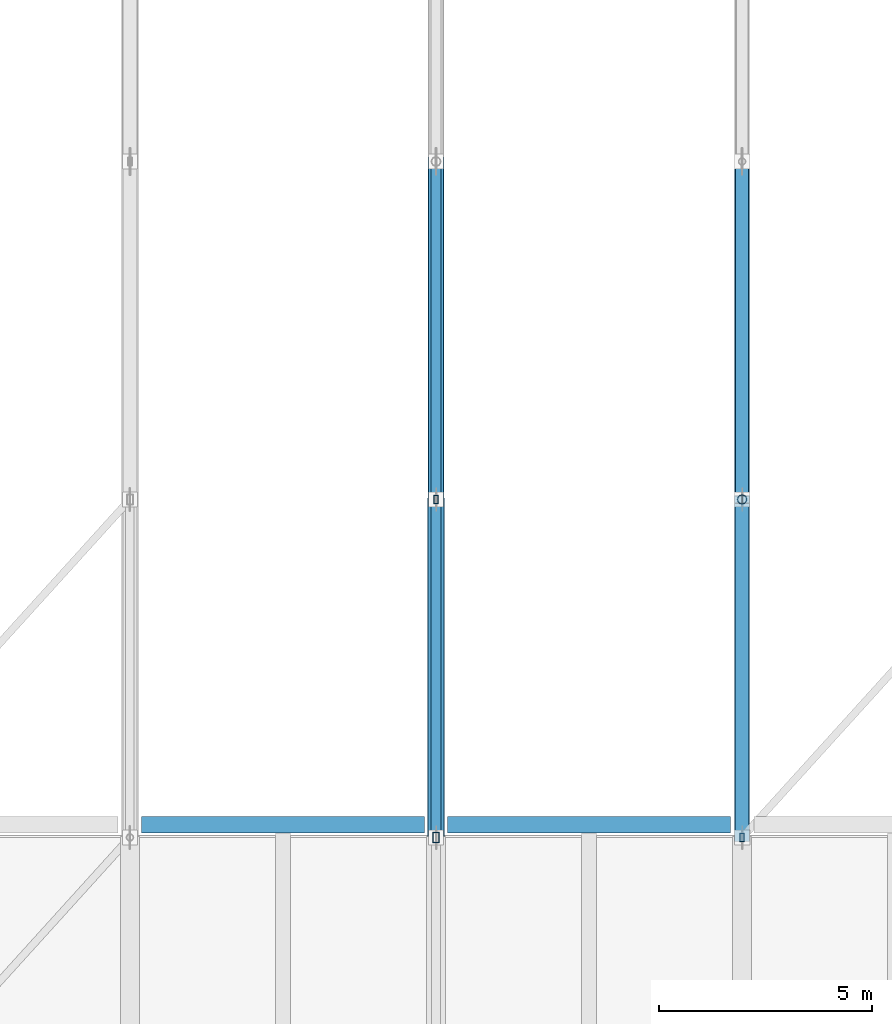
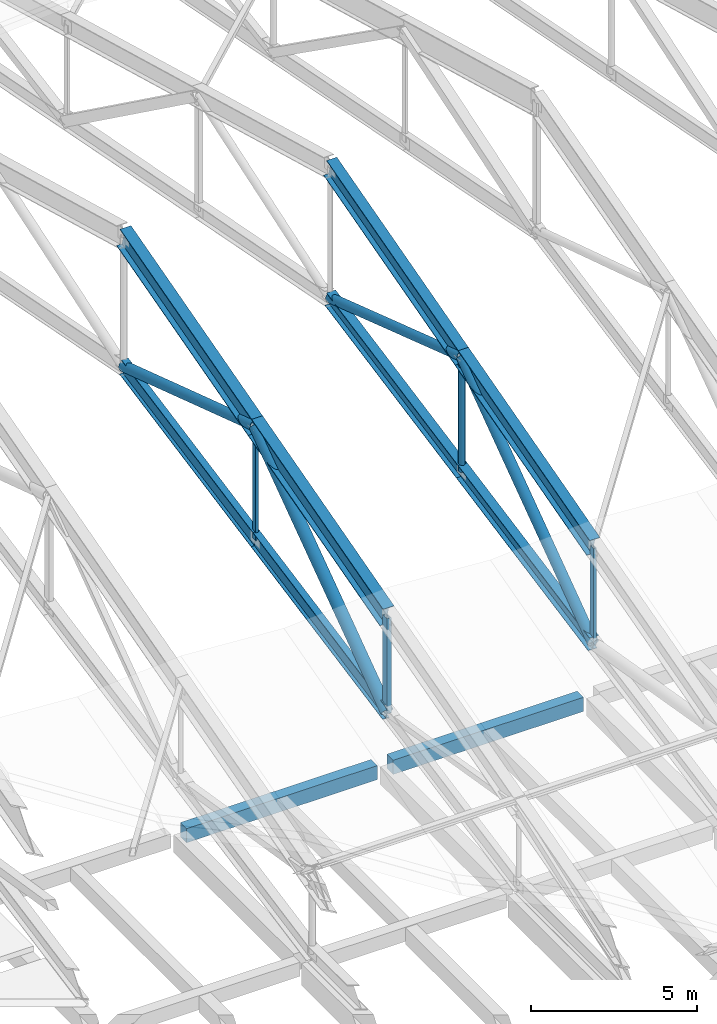
# One storey, part 6 of 53: 10 beams, 8 members.
"""IFC4 building model written with IfcOpenShell, lengths in metres."""

from ifc_helpers import new_model, si_unit, direction, frame, origin, origin_2d, place, context, subcontext, project, spatial, rectangle, hollow_rectangle, hollow_circle, i_section, extrude, material, material_profile, profile_set, type_object, element, save


model = new_model("IFC4")

# Units and contexts
model_context = context("Model", 3, precision=1e-05, world=origin(), true_north=direction((0.0, 1.0)))
body_context = subcontext(model_context, "Body", "Model", "MODEL_VIEW")
ifc_project = project(units=[si_unit("LENGTHUNIT", "METRE"), si_unit("AREAUNIT", "SQUARE_METRE"), si_unit("VOLUMEUNIT", "CUBIC_METRE"), si_unit("PLANEANGLEUNIT", "RADIAN"), si_unit("MASSUNIT", "GRAM", prefix="KILO")], contexts=[model_context])

# Site, building, storey
site_placement = place(None, origin())
site = spatial("IfcSite", under=ifc_project, at=site_placement, CompositionType="ELEMENT")
building_placement = place(site_placement, origin())
building = spatial("IfcBuilding", under=site, at=building_placement, Name="Pellamere Symphony Hall", CompositionType="ELEMENT")
storey_placement = place(building_placement, frame((0.0, 0.0, 24.0)))
storey = spatial("IfcBuildingStorey", under=building, at=storey_placement, Name="L05", CompositionType="ELEMENT", Elevation=24.0)

# Beams
ifc_material_1 = material(Name="Concrete 40 MPa", Category="concrete")
ifc_material_profile_1 = material_profile(ifc_material_1, rectangle(XDim=0.3798828125, YDim=0.52001953125, at=origin_2d()), Name="RC 380x520")
ifc_profile_set_1 = profile_set([ifc_material_profile_1], Name="Concrete 40 MPa")
beam_type_1 = type_object("IfcBeamType", Name="RC CB-21 380x520", PredefinedType="BEAM", material=ifc_profile_set_1)
beam_1_placement = place(storey_placement, frame((66.27490234375, 46.199951171875, -0.52001953125), z_axis=(1.0, 0.0, 0.0), x_axis=(0.0, 1.0, 0.0)))
element("IfcBeam", 1, at=beam_1_placement, inside=storey, type_object=beam_type_1, Name="Girder CB-21-X2025 (L05)", PredefinedType="BEAM", context=body_context, shape_type="SweptSolid", body=[
    extrude(rectangle(XDim=0.3798828125, YDim=0.52001953125, at=origin_2d()), origin(), (0.0, 0.0, 1.0), 6.650146484375),
])
beam_2_placement = place(storey_placement, frame((73.47509765625, 46.199951171875, -0.52001953125), z_axis=(1.0, 0.0, 0.0), x_axis=(0.0, 1.0, 0.0)))
element("IfcBeam", 2, at=beam_2_placement, inside=storey, type_object=beam_type_1, Name="Girder CB-21-X2026 (L05)", PredefinedType="BEAM", context=body_context, shape_type="SweptSolid", body=[
    extrude(rectangle(XDim=0.3798828125, YDim=0.52001953125, at=origin_2d()), origin(), (0.0, 0.0, 1.0), 6.64990234375),
])
ifc_material_2 = material(Name="Steel CSA G40.21 350W", Category="steel")
ifc_material_profile_2 = material_profile(ifc_material_2, i_section(OverallWidth=0.381103515625, OverallDepth=0.77294921875, WebThickness=0.0166015625, FlangeThickness=0.027587890625, at=origin_2d()), Name="W760X257")
ifc_profile_set_2 = profile_set([ifc_material_profile_2], Name="Steel CSA G40.21 350W")
beam_type_2 = type_object("IfcBeamType", Name="Steel Beam SB-05 W760X257", PredefinedType="BEAM", material=ifc_profile_set_2)
beam_3_placement = place(storey_placement, frame((73.199951171875, 45.89990234375, 5.228515625), z_axis=(0.0, 0.964092523779, 0.265566574693), x_axis=(-1.0, 0.0, 0.0)))
element("IfcBeam", 3, at=beam_3_placement, inside=storey, type_object=beam_type_2, Name="Roof Truss TR-03 Top Chord 3", PredefinedType="BEAM", context=body_context, shape_type="SweptSolid", body=[
    extrude(i_section(OverallWidth=0.381103515625, OverallDepth=0.77294921875, WebThickness=0.0166015625, FlangeThickness=0.027587890625, at=origin_2d()), origin(), (0.0, 0.0, 1.0), 8.246337890625),
])
beam_4_placement = place(storey_placement, frame((73.199951171875, 53.85009765625, 7.41845703125), z_axis=(0.0, 0.964090435702, 0.265574154969), x_axis=(-1.0, 0.0, 0.0)))
element("IfcBeam", 4, at=beam_4_placement, inside=storey, type_object=beam_type_2, Name="Roof Truss TR-03 Top Chord 4", PredefinedType="BEAM", context=body_context, shape_type="SweptSolid", body=[
    extrude(i_section(OverallWidth=0.381103515625, OverallDepth=0.77294921875, WebThickness=0.0166015625, FlangeThickness=0.027587890625, at=origin_2d()), origin(), (0.0, 0.0, 1.0), 8.24609375),
])
ifc_material_profile_3 = material_profile(ifc_material_2, i_section(OverallWidth=0.35498046875, OverallDepth=0.695068359375, WebThickness=0.015380859375, FlangeThickness=0.02490234375, at=origin_2d()), Name="W690X217")
ifc_profile_set_3 = profile_set([ifc_material_profile_3], Name="Steel CSA G40.21 350W")
beam_type_3 = type_object("IfcBeamType", Name="Steel Beam SB-07 W690X217", PredefinedType="BEAM", material=ifc_profile_set_3)
beam_5_placement = place(storey_placement, frame((80.39990234375, 45.89990234375, 5.267578125), z_axis=(0.0, 0.964092523779, 0.265566574693), x_axis=(-1.0, 0.0, 0.0)))
element("IfcBeam", 5, at=beam_5_placement, inside=storey, type_object=beam_type_3, Name="Roof Truss TR-04 Top Chord 3", PredefinedType="BEAM", context=body_context, shape_type="SweptSolid", body=[
    extrude(i_section(OverallWidth=0.35498046875, OverallDepth=0.695068359375, WebThickness=0.015380859375, FlangeThickness=0.02490234375, at=origin_2d()), origin(), (0.0, 0.0, 1.0), 8.246337890625),
])
beam_6_placement = place(storey_placement, frame((80.39990234375, 53.85009765625, 7.45751953125), z_axis=(0.0, 0.964090435702, 0.265574154969), x_axis=(-1.0, 0.0, 0.0)))
element("IfcBeam", 6, at=beam_6_placement, inside=storey, type_object=beam_type_3, Name="Roof Truss TR-04 Top Chord 4", PredefinedType="BEAM", context=body_context, shape_type="SweptSolid", body=[
    extrude(i_section(OverallWidth=0.35498046875, OverallDepth=0.695068359375, WebThickness=0.015380859375, FlangeThickness=0.02490234375, at=origin_2d()), origin(), (0.0, 0.0, 1.0), 8.24609375),
])
ifc_material_profile_4 = material_profile(ifc_material_2, i_section(OverallWidth=0.22998046875, OverallDepth=0.616943359375, WebThickness=0.01318359375, FlangeThickness=0.022216796875, at=origin_2d()), Name="W610X140")
ifc_profile_set_4 = profile_set([ifc_material_profile_4], Name="Steel CSA G40.21 350W")
beam_type_4 = type_object("IfcBeamType", Name="Steel Beam SB-11 W610X140", PredefinedType="BEAM", material=ifc_profile_set_4)
for number, where, z_axis, x_axis, name in (
    (7, (73.199951171875, 45.89990234375, 1.706787109375), (0.0, 0.981597814787, 0.190960022008), (-1.0, 0.0, 0.0), "Roof Truss TR-03 Bottom Chord 3"),
    (8, (73.199951171875, 53.85009765625, 3.25341796875), (0.0, 0.981596715528, 0.190965672477), (-1.0, 0.0, 0.0), "Roof Truss TR-03 Bottom Chord 4"),
):
    element("IfcBeam", number, at=place(storey_placement, frame(where, z_axis=z_axis, x_axis=x_axis)), inside=storey, type_object=beam_type_4, Name=name, PredefinedType="BEAM", context=body_context, shape_type="SweptSolid", body=[
        extrude(i_section(OverallWidth=0.22998046875, OverallDepth=0.616943359375, WebThickness=0.01318359375, FlangeThickness=0.022216796875, at=origin_2d()), origin(), (0.0, 0.0, 1.0), 8.09912109375),
    ])
ifc_material_profile_5 = material_profile(ifc_material_2, i_section(OverallWidth=0.31201171875, OverallDepth=0.54296875, WebThickness=0.0126953125, FlangeThickness=0.020263671875, at=origin_2d()), Name="W530X150")
ifc_profile_set_5 = profile_set([ifc_material_profile_5], Name="Steel CSA G40.21 350W")
beam_type_5 = type_object("IfcBeamType", Name="Steel Beam SB-13 W530X150", PredefinedType="BEAM", material=ifc_profile_set_5)
for number, where, z_axis, x_axis, name in (
    (9, (80.39990234375, 45.89990234375, 1.706787109375), (0.0, 0.981597814787, 0.190960022008), (-1.0, 0.0, 0.0), "Roof Truss TR-04 Bottom Chord 3"),
    (10, (80.39990234375, 53.85009765625, 3.25341796875), (0.0, 0.981596715528, 0.190965672477), (-1.0, 0.0, 0.0), "Roof Truss TR-04 Bottom Chord 4"),
):
    element("IfcBeam", number, at=place(storey_placement, frame(where, z_axis=z_axis, x_axis=x_axis)), inside=storey, type_object=beam_type_5, Name=name, PredefinedType="BEAM", context=body_context, shape_type="SweptSolid", body=[
        extrude(i_section(OverallWidth=0.31201171875, OverallDepth=0.54296875, WebThickness=0.0126953125, FlangeThickness=0.020263671875, at=origin_2d()), origin(), (0.0, 0.0, 1.0), 8.09912109375),
    ])

# Members
ifc_material_profile_6 = material_profile(ifc_material_2, hollow_rectangle(XDim=0.15234375, YDim=0.25390625, WallThickness=0.010986328125, at=origin_2d()), Name="HSS254X152X11")
ifc_profile_set_6 = profile_set([ifc_material_profile_6], Name="Steel CSA G40.21 350W")
member_type_1 = type_object("IfcMemberType", Name="Steel Member SM-07 HSS254X152X11", PredefinedType="STRUT", material=ifc_profile_set_6)
member_1_placement = place(storey_placement, frame((73.199951171875, 45.89990234375, 1.706787109375), z_axis=(0.0, 0.0, 1.0), x_axis=(1.0, 0.0, 0.0)))
element("IfcMember", 11, at=member_1_placement, inside=storey, type_object=member_type_1, Name="Roof Truss TR-03 Vertical Post 2", PredefinedType="STRUT", context=body_context, shape_type="SweptSolid", body=[
    extrude(hollow_rectangle(XDim=0.15234375, YDim=0.25390625, WallThickness=0.010986328125, at=origin_2d()), origin(), (0.0, 0.0, 1.0), 3.521728515625),
])
ifc_material_profile_7 = material_profile(ifc_material_2, hollow_rectangle(XDim=0.1015625, YDim=0.203125, WallThickness=0.009521484375, at=origin_2d()), Name="HSS203X102X10")
ifc_profile_set_7 = profile_set([ifc_material_profile_7], Name="Steel CSA G40.21 350W")
member_type_2 = type_object("IfcMemberType", Name="Steel Member SM-08 HSS203X102X10", PredefinedType="STRUT", material=ifc_profile_set_7)
member_2_placement = place(storey_placement, frame((73.199951171875, 53.85009765625, 3.25341796875), z_axis=(0.0, 0.0, 1.0), x_axis=(1.0, 0.0, 0.0)))
element("IfcMember", 12, at=member_2_placement, inside=storey, type_object=member_type_2, Name="Roof Truss TR-03 Vertical Post 3", PredefinedType="STRUT", context=body_context, shape_type="SweptSolid", body=[
    extrude(hollow_rectangle(XDim=0.1015625, YDim=0.203125, WallThickness=0.009521484375, at=origin_2d()), origin(), (0.0, 0.0, 1.0), 4.1650390625),
])
member_3_placement = place(storey_placement, frame((80.39990234375, 45.89990234375, 1.706787109375), z_axis=(0.0, 0.0, 1.0), x_axis=(1.0, 0.0, 0.0)))
element("IfcMember", 13, at=member_3_placement, inside=storey, type_object=member_type_2, Name="Roof Truss TR-04 Vertical Post 2", PredefinedType="STRUT", context=body_context, shape_type="SweptSolid", body=[
    extrude(hollow_rectangle(XDim=0.1015625, YDim=0.203125, WallThickness=0.009521484375, at=origin_2d()), origin(), (0.0, 0.0, 1.0), 3.560791015625),
])
ifc_material_profile_8 = material_profile(ifc_material_2, hollow_circle(Radius=0.203125, WallThickness=0.0126953125, at=origin_2d()), Name="HSS406X13")
ifc_profile_set_8 = profile_set([ifc_material_profile_8], Name="Steel CSA G40.21 350W")
member_type_3 = type_object("IfcMemberType", Name="Steel Member SM-09 HSS406X13", PredefinedType="STRUT", material=ifc_profile_set_8)
member_4_placement = place(storey_placement, frame((73.199951171875, 45.89990234375, 1.706787109375), z_axis=(0.0, 0.812137980542, 0.583465423621), x_axis=(-1.0, 0.0, 0.0)))
element("IfcMember", 14, at=member_4_placement, inside=storey, type_object=member_type_3, Name="Roof Truss TR-03 Web Diagonal 3", PredefinedType="STRUT", context=body_context, shape_type="SweptSolid", body=[
    extrude(hollow_circle(Radius=0.203125, WallThickness=0.0126953125, at=origin_2d()), origin(), (0.0, 0.0, 1.0), 9.789306640625),
])
ifc_material_profile_9 = material_profile(ifc_material_2, hollow_circle(Radius=0.177734375, WallThickness=0.0126953125, at=origin_2d()), Name="HSS356X13")
ifc_profile_set_9 = profile_set([ifc_material_profile_9], Name="Steel CSA G40.21 350W")
member_type_4 = type_object("IfcMemberType", Name="Steel Member SM-10 HSS356X13", PredefinedType="STRUT", material=ifc_profile_set_9)
member_5_placement = place(storey_placement, frame((73.199951171875, 53.85009765625, 7.41845703125), z_axis=(0.0, 0.94980895453, -0.312830545015), x_axis=(-1.0, 0.0, 0.0)))
element("IfcMember", 15, at=member_5_placement, inside=storey, type_object=member_type_4, Name="Roof Truss TR-03 Web Diagonal 4", PredefinedType="STRUT", context=body_context, shape_type="SweptSolid", body=[
    extrude(hollow_circle(Radius=0.177734375, WallThickness=0.0126953125, at=origin_2d()), origin(), (0.0, 0.0, 1.0), 8.3701171875),
])
member_6_placement = place(storey_placement, frame((80.39990234375, 45.89990234375, 1.706787109375), z_axis=(0.0, 0.810247288016, 0.586088160828), x_axis=(-1.0, 0.0, 0.0)))
element("IfcMember", 16, at=member_6_placement, inside=storey, type_object=member_type_4, Name="Roof Truss TR-04 Web Diagonal 3", PredefinedType="STRUT", context=body_context, shape_type="SweptSolid", body=[
    extrude(hollow_circle(Radius=0.177734375, WallThickness=0.0126953125, at=origin_2d()), origin(), (0.0, 0.0, 1.0), 9.81201171875),
])
ifc_material_profile_10 = material_profile(ifc_material_2, hollow_circle(Radius=0.161865234375, WallThickness=0.010986328125, at=origin_2d()), Name="HSS324X11")
ifc_profile_set_10 = profile_set([ifc_material_profile_10], Name="Steel CSA G40.21 350W")
member_type_5 = type_object("IfcMemberType", Name="Steel Member SM-11 HSS324X11", PredefinedType="BRACE", material=ifc_profile_set_10)
member_7_placement = place(storey_placement, frame((80.39990234375, 53.85009765625, 7.45751953125), z_axis=(0.0, 0.948415002493, -0.317031517432), x_axis=(-1.0, 0.0, 0.0)))
element("IfcMember", 17, at=member_7_placement, inside=storey, type_object=member_type_5, Name="Roof Truss TR-04 Web Diagonal 4", PredefinedType="BRACE", context=body_context, shape_type="SweptSolid", body=[
    extrude(hollow_circle(Radius=0.161865234375, WallThickness=0.010986328125, at=origin_2d()), origin(), (0.0, 0.0, 1.0), 8.38232421875),
])
ifc_material_profile_11 = material_profile(ifc_material_2, hollow_circle(Radius=0.109619140625, WallThickness=0.009521484375, at=origin_2d()), Name="HSS219X10")
ifc_profile_set_11 = profile_set([ifc_material_profile_11], Name="Steel CSA G40.21 350W")
member_type_6 = type_object("IfcMemberType", Name="Steel Member SM-13 HSS219X10", PredefinedType="STRUT", material=ifc_profile_set_11)
member_8_placement = place(storey_placement, frame((80.39990234375, 53.85009765625, 3.25341796875), z_axis=(0.0, 0.0, 1.0), x_axis=(1.0, 0.0, 0.0)))
element("IfcMember", 18, at=member_8_placement, inside=storey, type_object=member_type_6, Name="Roof Truss TR-04 Vertical Post 3", PredefinedType="STRUT", context=body_context, shape_type="SweptSolid", body=[
    extrude(hollow_circle(Radius=0.109619140625, WallThickness=0.009521484375, at=origin_2d()), origin(), (0.0, 0.0, 1.0), 4.2041015625),
])

save(model, "model.ifc")
